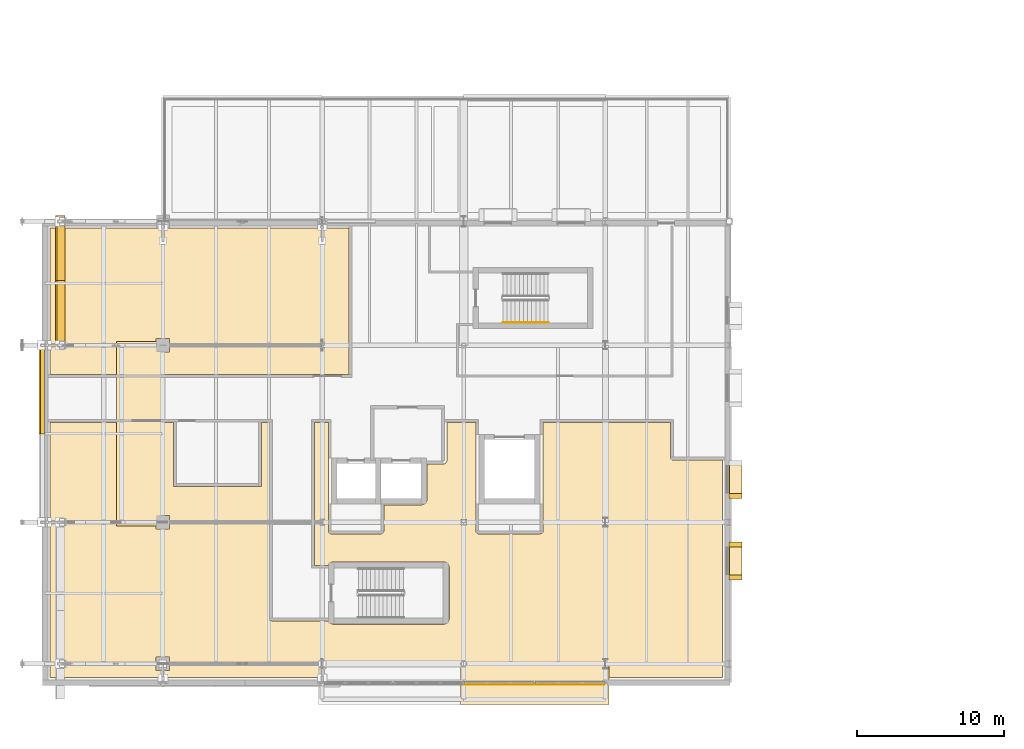
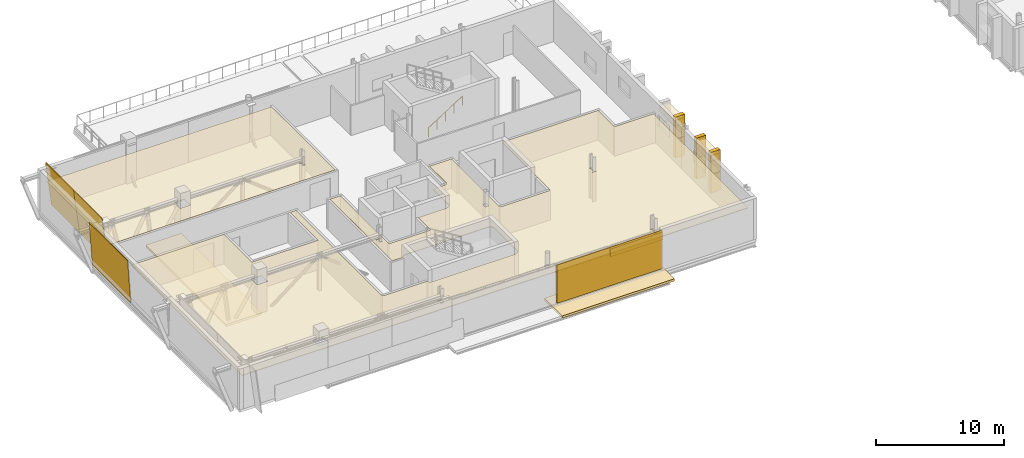
# One storey, part 49 of 57: 16 coverings, 1 railing, 1 shading device.
"""IFC4 building model written with IfcOpenShell, lengths in metres."""

import ifcopenshell
import ifcopenshell.guid

model = None  # the IFC model being written
_history = None  # IfcOwnerHistory: only IFC2X3 demands one
_inside = {}  # id of a spatial element -> (the spatial element, [elements in it])
_under = {}  # id of a project, library or spatial element -> (it, [spatial elements below it])
_declared = {}  # id of a project -> (the project, [libraries it declares])
_typed = {}  # id of a type object -> (the type object, [elements of that type])
_made_of = {}  # id of a material, layer set ... -> (it, [elements and type objects made of it])


def new_model(schema):
    """Start an empty IFC model of exactly this schema.

    Asked for "IFC4X3", IfcOpenShell would pick the latest addendum, in which some entities
    have other attributes; the version numbers below select the first issue.
    IFC2X3 requires an IfcOwnerHistory on every rooted entity: one is made here for all.
    """
    global model, _history
    if schema == "IFC4X3":
        model = ifcopenshell.file(schema_version=(4, 3, 0, 0))
    else:
        model = ifcopenshell.file(schema=schema)
    _inside.clear()
    _under.clear()
    _declared.clear()
    _typed.clear()
    _made_of.clear()
    _history = None
    if model.schema == "IFC2X3":
        org = make("IfcOrganization", Name="unknown")
        user = make(
            "IfcPersonAndOrganization",
            ThePerson=make("IfcPerson", FamilyName="unknown"),
            TheOrganization=org,
        )
        app = make(
            "IfcApplication",
            ApplicationDeveloper=org,
            Version="unknown",
            ApplicationFullName="unknown",
            ApplicationIdentifier="unknown",
        )
        _history = make(
            "IfcOwnerHistory",
            OwningUser=user,
            OwningApplication=app,
            ChangeAction="ADDED",
            CreationDate=0,
        )
    return model


def make(cls, **values):
    """One entity of the class cls with the attributes given. An attribute that is None is left unset."""
    return model.create_entity(
        cls, **{name: value for name, value in values.items() if value is not None}
    )


def rooted(cls, **values):
    """An entity with a GlobalId (a new one), such as an element, a storey or a relation."""
    return make(cls, GlobalId=ifcopenshell.guid.new(), OwnerHistory=_history, **values)


def si_unit(unit_type, name, prefix=None):
    """IfcSIUnit, for example si_unit("LENGTHUNIT", "METRE", prefix="MILLI")."""
    return make("IfcSIUnit", UnitType=unit_type, Prefix=prefix, Name=name)


def assignment(units):
    """IfcUnitAssignment: the units of a project."""
    return None if units is None else make("IfcUnitAssignment", Units=units)


def point(xyz):
    """IfcCartesianPoint."""
    return None if xyz is None else make("IfcCartesianPoint", Coordinates=xyz)


def direction(xyz):
    """IfcDirection."""
    return None if xyz is None else make("IfcDirection", DirectionRatios=xyz)


def frame(location, z_axis=None, x_axis=None):
    """IfcAxis2Placement3D, a coordinate frame: its origin and axes. An axis left out is left unset."""
    return make(
        "IfcAxis2Placement3D",
        Location=point(location),
        Axis=direction(z_axis),
        RefDirection=direction(x_axis),
    )


def frame_2d(location, x_axis=None):
    """IfcAxis2Placement2D, a coordinate frame in the plane: its origin and x axis."""
    return make(
        "IfcAxis2Placement2D", Location=point(location), RefDirection=direction(x_axis)
    )


def origin():
    """The frame at (0, 0, 0) with its axes left unset."""
    return frame((0.0, 0.0, 0.0))


def origin_2d():
    """The frame at (0, 0) in the plane with its x axis left unset."""
    return frame_2d((0.0, 0.0))


def place(relative_to, where):
    """IfcLocalPlacement: puts the frame where relative to a parent placement (None: the world)."""
    return make(
        "IfcLocalPlacement", PlacementRelTo=relative_to, RelativePlacement=where
    )


def context(
    kind, dimensions, precision=None, world=None, true_north=None, identifier=None
):
    """IfcGeometricRepresentationContext, for example the 3D "Model" context."""
    return make(
        "IfcGeometricRepresentationContext",
        ContextIdentifier=identifier,
        ContextType=kind,
        CoordinateSpaceDimension=dimensions,
        Precision=precision,
        WorldCoordinateSystem=world,
        TrueNorth=true_north,
    )


def subcontext(parent, identifier, kind, view, scale=None):
    """IfcGeometricRepresentationSubContext, for example "Body" below "Model"."""
    return make(
        "IfcGeometricRepresentationSubContext",
        ContextIdentifier=identifier,
        ContextType=kind,
        ParentContext=parent,
        TargetScale=scale,
        TargetView=view,
    )


def project(units=None, contexts=None):
    """IfcProject with its units and contexts."""
    return rooted(
        "IfcProject",
        Name="project",
        RepresentationContexts=contexts,
        UnitsInContext=assignment(units),
    )


def spatial(cls, under=None, at=None, **own):
    """A site, building, storey or space (cls), placed at a placement, below another one or the project."""
    s = rooted(cls, ObjectPlacement=at, **own)
    if under is not None:
        _under.setdefault(under.id(), (under, []))[1].append(s)
    return s


def polyline(points):
    """IfcPolyline through the points."""
    return make("IfcPolyline", Points=[point(p) for p in points])


def profile(cls, at=None, kind="AREA", **sizes):
    """A parametric profile (cls). Its sizes go by their IFC names, for example OverallWidth=200.0."""
    return make(cls, ProfileType=kind, Position=at, **sizes)


def rectangle(**sizes):
    """IfcRectangleProfileDef."""
    return profile("IfcRectangleProfileDef", **sizes)


def circle(**sizes):
    """IfcCircleProfileDef."""
    return profile("IfcCircleProfileDef", **sizes)


def outline(outer, holes=None, kind="AREA"):
    """IfcArbitraryClosedProfileDef: a profile drawn as a closed curve; with holes, ...WithVoids."""
    if holes is None:
        return make("IfcArbitraryClosedProfileDef", ProfileType=kind, OuterCurve=outer)
    return make(
        "IfcArbitraryProfileDefWithVoids",
        ProfileType=kind,
        OuterCurve=outer,
        InnerCurves=holes,
    )


def extrude(swept, where, along, depth):
    """IfcExtrudedAreaSolid: the profile swept, set in the frame where, extruded along a direction by depth."""
    return make(
        "IfcExtrudedAreaSolid",
        SweptArea=swept,
        Position=where,
        ExtrudedDirection=direction(along),
        Depth=depth,
    )


def shape(context_of_items, identifier, shape_type, items):
    """IfcShapeRepresentation: the items that make up one representation, for example the "Body"."""
    return make(
        "IfcShapeRepresentation",
        ContextOfItems=context_of_items,
        RepresentationIdentifier=identifier,
        RepresentationType=shape_type,
        Items=items,
    )


def material(Name=None, Category=None):
    """IfcMaterial."""
    return make("IfcMaterial", Name=Name, Category=Category)


def layer(
    of_material, thickness, ventilated=None, Name=None, Category=None, Priority=None
):
    """IfcMaterialLayer: one layer of a wall or slab, of a material (None: an air gap)."""
    return make(
        "IfcMaterialLayer",
        Material=of_material,
        LayerThickness=thickness,
        IsVentilated=ventilated,
        Name=Name,
        Category=Category,
        Priority=Priority,
    )


def layer_set(layers, Name=None):
    """IfcMaterialLayerSet."""
    return make("IfcMaterialLayerSet", MaterialLayers=layers, LayerSetName=Name)


def made_of(thing, what):
    """Note that an element or type object is made of a material, layer set ...; save() writes the relation."""
    if what is not None:
        _made_of.setdefault(what.id(), (what, []))[1].append(thing)
    return thing


def type_object(cls, material=None, **own):
    """A type object (cls), such as IfcWallType, which elements share."""
    return made_of(rooted(cls, **own), material)


def element(
    cls,
    number,
    at=None,
    inside=None,
    cuts=None,
    type_object=None,
    material=None,
    context=None,
    identifier="Body",
    shape_type=None,
    held_by="IfcProductDefinitionShape",
    body=None,
    shapes=None,
    **own,
):
    """One element of the class cls, such as IfcWall. Its Tag is "e" and its number.

    at: its placement. inside: the storey or other place that contains it. cuts: it is an
    opening in that element (IfcRelVoidsElement). A single representation is given by context,
    identifier, shape_type and body (its items); several are given by shapes. held_by: the class
    of the entity that holds the representations. save() writes the other relations.
    """
    e = rooted(cls, Tag="e%d" % number, ObjectPlacement=at, **own)
    if body is not None:
        shapes = [shape(context, identifier, shape_type, body)]
    if shapes is not None:
        e.Representation = make(held_by, Representations=shapes)
    if inside is not None:
        _inside.setdefault(inside.id(), (inside, []))[1].append(e)
    if cuts is not None:
        rooted(
            "IfcRelVoidsElement", RelatingBuildingElement=cuts, RelatedOpeningElement=e
        )
    if type_object is not None:
        _typed.setdefault(type_object.id(), (type_object, []))[1].append(e)
    return made_of(e, material)


def aggregate(whole, parts):
    """IfcRelAggregates: a whole, such as a stair, and the parts it consists of."""
    return rooted("IfcRelAggregates", RelatingObject=whole, RelatedObjects=parts)


def save(model, path):
    """Write the relations noted so far, then the file.

    IfcRelAggregates (storeys below a building ...), IfcRelContainedInSpatialStructure (elements
    in a storey), IfcRelDefinesByType, IfcRelAssociatesMaterial and IfcRelDeclares: one each for
    every whole, place, type object, material and project.
    """
    for whole, parts in _under.values():
        aggregate(whole, parts)
    for where, things in _inside.values():
        rooted(
            "IfcRelContainedInSpatialStructure",
            RelatedElements=things,
            RelatingStructure=where,
        )
    for kind, things in _typed.values():
        rooted("IfcRelDefinesByType", RelatedObjects=things, RelatingType=kind)
    for what, things in _made_of.values():
        rooted("IfcRelAssociatesMaterial", RelatedObjects=things, RelatingMaterial=what)
    for by, libraries in _declared.values():
        rooted("IfcRelDeclares", RelatingContext=by, RelatedDefinitions=libraries)
    model.write(path)


model = new_model("IFC4")

# Units and contexts
model_context = context("Model", 3, precision=1e-05, world=origin(), true_north=direction((0.0, 1.0)))
body_context = subcontext(model_context, "Body", "Model", "MODEL_VIEW")
ifc_project = project(units=[si_unit("LENGTHUNIT", "METRE"), si_unit("AREAUNIT", "SQUARE_METRE"), si_unit("VOLUMEUNIT", "CUBIC_METRE"), si_unit("PLANEANGLEUNIT", "RADIAN"), si_unit("MASSUNIT", "GRAM", prefix="KILO")], contexts=[model_context])

# Site, building, storey
site_placement = place(None, origin())
site = spatial("IfcSite", under=ifc_project, at=site_placement, CompositionType="ELEMENT")
building_placement = place(site_placement, origin())
building = spatial("IfcBuilding", under=site, at=building_placement, Name="Zereglee Splitstone Museum", CompositionType="ELEMENT")
storey_placement = place(building_placement, frame((0.0, 0.0, 17.10009765625)))
storey = spatial("IfcBuildingStorey", under=building, at=storey_placement, Name="L03", CompositionType="ELEMENT", Elevation=17.10009765625)

# Coverings
ifc_material_1 = material(Name="Siberian larch acoustic timber ceiling", Category="wood")
ifc_layer_1 = layer(ifc_material_1, 0.06005859375)
ifc_layer_set_1 = layer_set([ifc_layer_1], Name="Siberian larch acoustic timber ceiling")
covering_type_1 = type_object("IfcCoveringType", Name="CLG-01", PredefinedType="CEILING", material=ifc_layer_set_1)
covering_1_placement = place(storey_placement, frame((0.0, 0.0, 2.760009765625)))
element("IfcCovering", 1, at=covering_1_placement, inside=storey, type_object=covering_type_1, Name="Acoustic Ceiling L03-045", PredefinedType="CEILING", context=body_context, shape_type="SweptSolid", body=[
    extrude(outline(polyline([(19.8798828125, 16.3701171875), (20.820068359375, 16.3701171875), (20.820068359375, 9.0), (20.820068359375, 8.9990234375), (20.82080078125, 8.9833984375), (20.821044921875, 8.9814453125), (20.8232421875, 8.9658203125), (20.82373046875, 8.9638671875), (20.827392578125, 8.94873046875), (20.828125, 8.94677734375), (20.833251953125, 8.931884765625), (20.833984375, 8.93017578125), (20.8408203125, 8.916015625), (20.841796875, 8.914306640625), (20.849853515625, 8.90087890625), (20.850830078125, 8.899169921875), (20.8603515625, 8.88671875), (20.861572265625, 8.885009765625), (20.8720703125, 8.873291015625), (20.873291015625, 8.8720703125), (20.885009765625, 8.861572265625), (20.88671875, 8.8603515625), (20.899169921875, 8.850830078125), (20.90087890625, 8.849853515625), (20.914306640625, 8.841796875), (20.916015625, 8.8408203125), (20.93017578125, 8.833984375), (20.931884765625, 8.833251953125), (20.94677734375, 8.828125), (20.94873046875, 8.827392578125), (20.9638671875, 8.82373046875), (20.9658203125, 8.8232421875), (20.9814453125, 8.821044921875), (20.9833984375, 8.82080078125), (20.9990234375, 8.820068359375), (21.0, 8.820068359375), (24.39990234375, 8.820068359375), (24.40087890625, 8.820068359375), (24.416748046875, 8.82080078125), (24.418701171875, 8.821044921875), (24.43408203125, 8.8232421875), (24.43603515625, 8.82373046875), (24.451416015625, 8.827392578125), (24.453125, 8.828125), (24.468017578125, 8.833251953125), (24.4697265625, 8.833984375), (24.48388671875, 8.8408203125), (24.485595703125, 8.841796875), (24.499267578125, 8.849853515625), (24.500732421875, 8.850830078125), (24.513427734375, 8.8603515625), (24.514892578125, 8.861572265625), (24.526611328125, 8.8720703125), (24.528076171875, 8.873291015625), (24.53857421875, 8.885009765625), (24.539794921875, 8.88671875), (24.549072265625, 8.899169921875), (24.55029296875, 8.90087890625), (24.558349609375, 8.914306640625), (24.55908203125, 8.916015625), (24.56591796875, 8.93017578125), (24.566650390625, 8.931884765625), (24.572021484375, 8.94677734375), (24.572509765625, 8.94873046875), (24.576416015625, 8.9638671875), (24.57666015625, 8.9658203125), (24.5791015625, 8.9814453125), (24.5791015625, 8.9833984375), (24.580078125, 8.9990234375), (24.580078125, 9.0), (24.580078125, 10.780029296875), (27.10009765625, 10.780029296875), (27.14111328125, 10.781982421875), (27.181884765625, 10.7880859375), (27.221923828125, 10.798095703125), (27.2607421875, 10.81201171875), (27.298095703125, 10.82958984375), (27.333251953125, 10.850830078125), (27.366455078125, 10.875244140625), (27.39697265625, 10.903076171875), (27.4248046875, 10.93359375), (27.44921875, 10.966796875), (27.470458984375, 11.001953125), (27.488037109375, 11.039306640625), (27.501953125, 11.078125), (27.511962890625, 11.1181640625), (27.51806640625, 11.15869140625), (27.52001953125, 11.199951171875), (27.52001953125, 13.550048828125), (28.60009765625, 13.550048828125), (28.62451171875, 13.55126953125), (28.648681640625, 13.5546875), (28.672607421875, 13.560791015625), (28.69580078125, 13.569091796875), (28.7177734375, 13.57958984375), (28.739013671875, 13.592041015625), (28.758544921875, 13.606689453125), (28.77685546875, 13.623291015625), (28.793212890625, 13.641357421875), (28.807861328125, 13.6611328125), (28.820556640625, 13.68212890625), (28.8310546875, 13.704345703125), (28.839111328125, 13.727294921875), (28.84521484375, 13.751220703125), (28.848876953125, 13.775390625), (28.85009765625, 13.800048828125), (28.85009765625, 16.3701171875), (30.820068359375, 16.3701171875), (30.820068359375, 9.0), (30.820068359375, 8.9990234375), (30.82080078125, 8.9833984375), (30.821044921875, 8.9814453125), (30.8232421875, 8.9658203125), (30.82373046875, 8.9638671875), (30.827392578125, 8.94873046875), (30.828125, 8.94677734375), (30.833251953125, 8.931884765625), (30.833984375, 8.93017578125), (30.8408203125, 8.916015625), (30.841796875, 8.914306640625), (30.849853515625, 8.90087890625), (30.850830078125, 8.899169921875), (30.8603515625, 8.88671875), (30.861572265625, 8.885009765625), (30.8720703125, 8.873291015625), (30.873291015625, 8.8720703125), (30.885009765625, 8.861572265625), (30.88671875, 8.8603515625), (30.899169921875, 8.850830078125), (30.90087890625, 8.849853515625), (30.914306640625, 8.841796875), (30.916015625, 8.8408203125), (30.93017578125, 8.833984375), (30.931884765625, 8.833251953125), (30.94677734375, 8.828125), (30.94873046875, 8.827392578125), (30.9638671875, 8.82373046875), (30.9658203125, 8.8232421875), (30.9814453125, 8.821044921875), (30.9833984375, 8.82080078125), (30.9990234375, 8.820068359375), (31.0, 8.820068359375), (35.199951171875, 8.820068359375), (35.200927734375, 8.820068359375), (35.216796875, 8.82080078125), (35.218505859375, 8.821044921875), (35.234130859375, 8.8232421875), (35.236083984375, 8.82373046875), (35.251220703125, 8.827392578125), (35.253173828125, 8.828125), (35.26806640625, 8.833251953125), (35.269775390625, 8.833984375), (35.283935546875, 8.8408203125), (35.28564453125, 8.841796875), (35.29931640625, 8.849853515625), (35.30078125, 8.850830078125), (35.3134765625, 8.8603515625), (35.31494140625, 8.861572265625), (35.32666015625, 8.8720703125), (35.327880859375, 8.873291015625), (35.33837890625, 8.885009765625), (35.339599609375, 8.88671875), (35.34912109375, 8.899169921875), (35.35009765625, 8.90087890625), (35.3583984375, 8.914306640625), (35.359130859375, 8.916015625), (35.365966796875, 8.93017578125), (35.36669921875, 8.931884765625), (35.371826171875, 8.94677734375), (35.37255859375, 8.94873046875), (35.376220703125, 8.9638671875), (35.376708984375, 8.9658203125), (35.37890625, 8.9814453125), (35.379150390625, 8.9833984375), (35.3798828125, 8.9990234375), (35.3798828125, 9.0), (35.3798828125, 16.3701171875), (44.02001953125, 16.3701171875), (44.02001953125, 14.0), (44.02001953125, 13.9990234375), (44.020751953125, 13.9833984375), (44.02099609375, 13.9814453125), (44.023193359375, 13.9658203125), (44.023681640625, 13.9638671875), (44.027587890625, 13.94873046875), (44.028076171875, 13.94677734375), (44.033203125, 13.931884765625), (44.0341796875, 13.93017578125), (44.040771484375, 13.916015625), (44.041748046875, 13.914306640625), (44.0498046875, 13.90087890625), (44.05078125, 13.899169921875), (44.060302734375, 13.88671875), (44.0615234375, 13.885009765625), (44.072021484375, 13.873291015625), (44.073486328125, 13.8720703125), (44.085205078125, 13.861572265625), (44.086669921875, 13.8603515625), (44.09912109375, 13.850830078125), (44.100830078125, 13.849853515625), (44.1142578125, 13.841796875), (44.115966796875, 13.8408203125), (44.130126953125, 13.833984375), (44.132080078125, 13.833251953125), (44.146728515625, 13.828125), (44.148681640625, 13.827392578125), (44.163818359375, 13.82373046875), (44.166015625, 13.8232421875), (44.181396484375, 13.821044921875), (44.183349609375, 13.82080078125), (44.198974609375, 13.820068359375), (44.199951171875, 13.820068359375), (47.5400390625, 13.820068359375), (47.5400390625, -0.93994140625), (1.9599609375, -0.93994140625), (1.9599609375, 16.3701171875), (10.320068359375, 16.3701171875), (10.320068359375, 12.030029296875), (10.320068359375, 12.028076171875), (10.3203125, 12.026123046875), (10.32080078125, 12.024169921875), (10.321533203125, 12.022216796875), (10.322509765625, 12.0205078125), (10.323486328125, 12.018798828125), (10.324462890625, 12.017333984375), (10.325927734375, 12.015869140625), (10.327392578125, 12.014404296875), (10.328857421875, 12.013427734375), (10.33056640625, 12.012451171875), (10.332275390625, 12.011474609375), (10.334228515625, 12.010986328125), (10.336181640625, 12.010498046875), (10.337890625, 12.010009765625), (10.340087890625, 12.010009765625), (16.260009765625, 12.010009765625), (16.261962890625, 12.010009765625), (16.263916015625, 12.010498046875), (16.265869140625, 12.010986328125), (16.267578125, 12.011474609375), (16.269287109375, 12.012451171875), (16.27099609375, 12.013427734375), (16.272705078125, 12.014404296875), (16.274169921875, 12.015869140625), (16.275390625, 12.017333984375), (16.276611328125, 12.018798828125), (16.277587890625, 12.0205078125), (16.278564453125, 12.022216796875), (16.279052734375, 12.024169921875), (16.279541015625, 12.026123046875), (16.27978515625, 12.028076171875), (16.280029296875, 12.030029296875), (16.280029296875, 16.3701171875), (16.820068359375, 16.3701171875), (16.820068359375, 3.10009765625), (16.820068359375, 3.09912109375), (16.82080078125, 3.083251953125), (16.821044921875, 3.081298828125), (16.8232421875, 3.06591796875), (16.82373046875, 3.06396484375), (16.827392578125, 3.048583984375), (16.828125, 3.046875), (16.833251953125, 3.031982421875), (16.833984375, 3.0302734375), (16.8408203125, 3.01611328125), (16.841796875, 3.014404296875), (16.849853515625, 3.000732421875), (16.850830078125, 2.999267578125), (16.8603515625, 2.986572265625), (16.861572265625, 2.985107421875), (16.8720703125, 2.973388671875), (16.873291015625, 2.971923828125), (16.885009765625, 2.96142578125), (16.88671875, 2.960205078125), (16.899169921875, 2.950927734375), (16.90087890625, 2.94970703125), (16.914306640625, 2.941650390625), (16.916015625, 2.94091796875), (16.93017578125, 2.93408203125), (16.931884765625, 2.933349609375), (16.94677734375, 2.927978515625), (16.94873046875, 2.927490234375), (16.9638671875, 2.923583984375), (16.9658203125, 2.92333984375), (16.9814453125, 2.9208984375), (16.9833984375, 2.9208984375), (16.9990234375, 2.919921875), (17.0, 2.919921875), (20.821044921875, 2.919921875), (20.82958984375, 2.902099609375), (20.850830078125, 2.86669921875), (20.875244140625, 2.83349609375), (20.903076171875, 2.802978515625), (20.93359375, 2.775390625), (20.966796875, 2.750732421875), (21.001953125, 2.7294921875), (21.039306640625, 2.7119140625), (21.078125, 2.697998046875), (21.1181640625, 2.68798828125), (21.15869140625, 2.681884765625), (21.199951171875, 2.679931640625), (28.60009765625, 2.679931640625), (28.64111328125, 2.681884765625), (28.681884765625, 2.68798828125), (28.721923828125, 2.697998046875), (28.7607421875, 2.7119140625), (28.798095703125, 2.7294921875), (28.833251953125, 2.750732421875), (28.866455078125, 2.775390625), (28.89697265625, 2.802978515625), (28.9248046875, 2.83349609375), (28.94921875, 2.86669921875), (28.970458984375, 2.902099609375), (28.988037109375, 2.939208984375), (29.001953125, 2.97802734375), (29.011962890625, 3.01806640625), (29.01806640625, 3.058837890625), (29.02001953125, 3.10009765625), (29.02001953125, 6.5), (29.01806640625, 6.541259765625), (29.011962890625, 6.581787109375), (29.001953125, 6.621826171875), (28.988037109375, 6.66064453125), (28.970458984375, 6.697998046875), (28.94921875, 6.7333984375), (28.9248046875, 6.766357421875), (28.89697265625, 6.797119140625), (28.866455078125, 6.82470703125), (28.833251953125, 6.84912109375), (28.798095703125, 6.870361328125), (28.7607421875, 6.887939453125), (28.721923828125, 6.90185546875), (28.681884765625, 6.911865234375), (28.64111328125, 6.91796875), (28.60009765625, 6.919921875), (21.199951171875, 6.919921875), (21.15869140625, 6.91796875), (21.1181640625, 6.911865234375), (21.078125, 6.90185546875), (21.039306640625, 6.887939453125), (21.001953125, 6.870361328125), (20.966796875, 6.84912109375), (20.93359375, 6.82470703125), (20.903076171875, 6.797119140625), (20.875244140625, 6.766357421875), (20.850830078125, 6.7333984375), (20.82958984375, 6.697998046875), (20.821044921875, 6.679931640625), (19.8798828125, 6.679931640625), (19.8798828125, 16.3701171875)]), holes=[polyline([(9.14208984375, -0.4580078125), (10.05810546875, -0.4580078125), (10.05810546875, 0.4580078125), (9.14208984375, 0.4580078125), (9.14208984375, -0.4580078125)]), polyline([(20.241943359375, 0.23291015625), (20.241943359375, 0.19091796875), (20.385009765625, 0.19091796875), (20.385009765625, -0.19091796875), (20.241943359375, -0.19091796875), (20.241943359375, -0.23291015625), (20.55810546875, -0.23291015625), (20.55810546875, -0.19091796875), (20.4150390625, -0.19091796875), (20.4150390625, 0.19091796875), (20.55810546875, 0.19091796875), (20.55810546875, 0.23291015625), (20.241943359375, 0.23291015625)]), polyline([(30.080810546875, -0.195068359375), (30.1171875, -0.175537109375), (30.1494140625, -0.1494140625), (30.175537109375, -0.1171875), (30.195068359375, -0.080810546875), (30.20703125, -0.041259765625), (30.211181640625, 0.0), (30.20703125, 0.041259765625), (30.195068359375, 0.080810546875), (30.175537109375, 0.1171875), (30.1494140625, 0.1494140625), (30.1171875, 0.175537109375), (30.080810546875, 0.195068359375), (30.041259765625, 0.20703125), (30.0, 0.211181640625), (29.958740234375, 0.20703125), (29.919189453125, 0.195068359375), (29.8828125, 0.175537109375), (29.8505859375, 0.1494140625), (29.824462890625, 0.1171875), (29.804931640625, 0.080810546875), (29.79296875, 0.041259765625), (29.788818359375, 0.0), (29.79296875, -0.041259765625), (29.804931640625, -0.080810546875), (29.824462890625, -0.1171875), (29.8505859375, -0.1494140625), (29.8828125, -0.175537109375), (29.919189453125, -0.195068359375), (29.958740234375, -0.20703125), (30.0, -0.211181640625), (30.041259765625, -0.20703125), (30.080810546875, -0.195068359375)]), polyline([(39.758056640625, 0.3330078125), (39.44189453125, 0.3330078125), (39.44189453125, 0.285888671875), (39.583984375, 0.285888671875), (39.583984375, -0.285888671875), (39.44189453125, -0.285888671875), (39.44189453125, -0.3330078125), (39.758056640625, -0.3330078125), (39.758056640625, -0.285888671875), (39.615966796875, -0.285888671875), (39.615966796875, 0.285888671875), (39.758056640625, 0.285888671875), (39.758056640625, 0.3330078125)]), polyline([(20.55810546875, 9.80810546875), (20.241943359375, 9.80810546875), (20.241943359375, 9.76806640625), (20.38525390625, 9.76806640625), (20.38525390625, 9.431884765625), (20.241943359375, 9.431884765625), (20.241943359375, 9.39208984375), (20.55810546875, 9.39208984375), (20.55810546875, 9.431884765625), (20.414794921875, 9.431884765625), (20.414794921875, 9.76806640625), (20.55810546875, 9.76806640625), (20.55810546875, 9.80810546875)]), polyline([(29.81689453125, 9.782958984375), (29.81689453125, 9.4169921875), (30.18310546875, 9.4169921875), (30.18310546875, 9.782958984375), (29.81689453125, 9.782958984375)]), polyline([(39.758056640625, 9.907958984375), (39.44189453125, 9.907958984375), (39.44189453125, 9.862060546875), (39.584228515625, 9.862060546875), (39.584228515625, 9.337890625), (39.44189453125, 9.337890625), (39.44189453125, 9.2919921875), (39.758056640625, 9.2919921875), (39.758056640625, 9.337890625), (39.61572265625, 9.337890625), (39.61572265625, 9.862060546875), (39.758056640625, 9.862060546875), (39.758056640625, 9.907958984375)]), polyline([(9.14208984375, 9.14208984375), (10.05810546875, 9.14208984375), (10.05810546875, 10.05810546875), (9.14208984375, 10.05810546875), (9.14208984375, 9.14208984375)])]), origin(), (0.0, 0.0, 1.0), 0.059814453125),
])
covering_2_placement = place(storey_placement, frame((0.0, 0.0, 2.760009765625)))
element("IfcCovering", 2, at=covering_2_placement, inside=storey, type_object=covering_type_1, Name="Acoustic Ceiling L03-046", PredefinedType="CEILING", context=body_context, shape_type="SweptSolid", body=[
    extrude(outline(polyline([(22.219970703125, 19.6298828125), (1.9599609375, 19.6298828125), (1.9599609375, 29.5400390625), (22.219970703125, 29.5400390625), (22.219970703125, 19.6298828125)]), holes=[polyline([(9.14208984375, 21.14208984375), (10.05810546875, 21.14208984375), (10.05810546875, 22.05810546875), (9.14208984375, 22.05810546875), (9.14208984375, 21.14208984375)]), polyline([(20.55810546875, 21.7880859375), (20.241943359375, 21.7880859375), (20.241943359375, 21.74951171875), (20.3857421875, 21.74951171875), (20.3857421875, 21.450439453125), (20.241943359375, 21.450439453125), (20.241943359375, 21.412109375), (20.55810546875, 21.412109375), (20.55810546875, 21.450439453125), (20.414306640625, 21.450439453125), (20.414306640625, 21.74951171875), (20.55810546875, 21.74951171875), (20.55810546875, 21.7880859375)])]), origin(), (0.0, 0.0, 1.0), 0.059814453125),
])
ifc_material_2 = material(Name="Honed Gobi pale limestone stringcourse and soffit cladding", Category="masonry")
ifc_layer_2 = layer(ifc_material_2, 0.070068359375)
ifc_layer_set_2 = layer_set([ifc_layer_2], Name="Honed Gobi pale limestone stringcourse and soffit cladding")
covering_type_2 = type_object("IfcCoveringType", Name="CL-02", PredefinedType="CLADDING", material=ifc_layer_set_2)
for number, where, z_axis, x_axis, name in (
    (3, (32.3798828125, -1.280029296875, 2.864990234375), (0.0, 0.0, 1.0), (1.0, 0.0, 0.0), "Mughal Carved Clerestory Jaali Frieze RC4-CW-L03-115-1"),
    (4, (37.219970703125, -1.280029296875, 2.844970703125), (0.0, 0.0, 1.0), (1.0, 0.0, 0.0), "Mughal Carved Clerestory Jaali Frieze RC4-CW-L03-115-2"),
):
    element("IfcCovering", number, at=place(storey_placement, frame(where, z_axis=z_axis, x_axis=x_axis)), inside=storey, type_object=covering_type_2, Name=name, PredefinedType="CLADDING", context=body_context, shape_type="SweptSolid", body=[
        extrude(rectangle(XDim=4.679931640625, YDim=0.239990234375, at=origin_2d()), origin(), (0.0, 0.0, 1.0), 0.75),
    ])
for number, where, z_axis, x_axis, name in (
    (5, (48.425048828125, 5.85009765625, 0.0), (0.0, 0.0, 1.0), (0.0, 1.0, 0.0), "Mughal Window Reveal Stone Pilaster L03-0119L"),
    (6, (48.425048828125, 8.090087890625, 0.0), (0.0, 0.0, 1.0), (0.0, 1.0, 0.0), "Mughal Window Reveal Stone Pilaster L03-0119R"),
):
    element("IfcCovering", number, at=place(storey_placement, frame(where, z_axis=z_axis, x_axis=x_axis)), inside=storey, type_object=covering_type_2, Name=name, PredefinedType="CLADDING", context=body_context, shape_type="SweptSolid", body=[
        extrude(rectangle(XDim=0.340087890625, YDim=0.860107421875, at=origin_2d()), origin(), (0.0, 0.0, 1.0), 3.89990234375),
    ])
covering_3_placement = place(storey_placement, frame((48.43505859375, 6.969970703125, 1.659912109375), z_axis=(0.0, 0.0, 1.0), x_axis=(0.0, 1.0, 0.0)))
element("IfcCovering", 7, at=covering_3_placement, inside=storey, type_object=covering_type_2, Name="Carved Limestone Window Sill L03-0119", PredefinedType="CLADDING", context=body_context, shape_type="SweptSolid", body=[
    extrude(rectangle(XDim=2.43994140625, YDim=0.840087890625, at=origin_2d()), origin(), (0.0, 0.0, 1.0), 0.1201171875),
])
covering_4_placement = place(storey_placement, frame((48.425048828125, 11.389892578125, 0.0), z_axis=(0.0, 0.0, 1.0), x_axis=(0.0, 1.0, 0.0)))
element("IfcCovering", 8, at=covering_4_placement, inside=storey, type_object=covering_type_2, Name="Mughal Window Reveal Stone Pilaster L03-0120L", PredefinedType="CLADDING", context=body_context, shape_type="SweptSolid", body=[
    extrude(rectangle(XDim=0.340087890625, YDim=0.860107421875, at=origin_2d()), origin(), (0.0, 0.0, 1.0), 3.89990234375),
])
covering_5_placement = place(storey_placement, frame((48.43505859375, 12.510009765625, 1.659912109375), z_axis=(0.0, 0.0, 1.0), x_axis=(0.0, 1.0, 0.0)))
element("IfcCovering", 9, at=covering_5_placement, inside=storey, type_object=covering_type_2, Name="Carved Limestone Window Sill L03-0120", PredefinedType="CLADDING", context=body_context, shape_type="SweptSolid", body=[
    extrude(rectangle(XDim=2.43994140625, YDim=0.840087890625, at=origin_2d()), origin(), (0.0, 0.0, 1.0), 0.1201171875),
])
ifc_material_3 = material(Name="Honed Khoroo red sandstone ventilated rainscreen", Category="masonry")
ifc_layer_3 = layer(ifc_material_3, 0.080078125)
ifc_layer_set_3 = layer_set([ifc_layer_3], Name="Honed Khoroo red sandstone ventilated rainscreen")
covering_type_3 = type_object("IfcCoveringType", Name="CL-01", PredefinedType="CLADDING", material=ifc_layer_set_3)
for number, where, z_axis, x_axis, name in (
    (10, (48.43505859375, 6.969970703125, 2.9599609375), (0.0, 0.0, 1.0), (0.0, 1.0, 0.0), "Pointed-Arch Mughal Window Hood L03-0119"),
    (11, (48.43505859375, 12.510009765625, 2.9599609375), (0.0, 0.0, 1.0), (0.0, 1.0, 0.0), "Pointed-Arch Mughal Window Hood L03-0120"),
):
    element("IfcCovering", number, at=place(storey_placement, frame(where, z_axis=z_axis, x_axis=x_axis)), inside=storey, type_object=covering_type_3, Name=name, PredefinedType="CLADDING", context=body_context, shape_type="SweptSolid", body=[
        extrude(rectangle(XDim=2.43994140625, YDim=0.860107421875, at=origin_2d()), origin(), (0.0, 0.0, 1.0), 0.580078125),
    ])
for number, where, z_axis, x_axis, name in (
    (12, (2.33203125, 21.60009765625, 3.949951171875), (-0.991724676305, 0.0, -0.128382889852), (0.0, 1.0, 0.0), "Split-Rock Continuous Inclined Facet FH-V1W-N L03.1"),
    (13, (2.33203125, 26.0, 3.949951171875), (-0.991724676305, 0.0, -0.128382889852), (0.0, 1.0, 0.0), "Split-Rock Continuous Inclined Facet FH-V1W-N L03.2"),
):
    element("IfcCovering", number, at=place(storey_placement, frame(where, z_axis=z_axis, x_axis=x_axis)), inside=storey, type_object=covering_type_3, Name=name, PredefinedType="CLADDING", context=body_context, shape_type="SweptSolid", body=[
        extrude(outline(polyline([(0.0, 0.0), (4.39990234375, 0.0), (4.39990234375, 4.234997144087872), (0.0, 4.234997144087872), (0.0, 0.0)])), origin(), (0.0, 0.0, -1.0), 0.080078125),
    ])
covering_6_placement = place(storey_placement, frame((1.202392578125, 15.60009765625, 3.949951171875), z_axis=(-0.997704863056, 0.0, -0.067712674106), x_axis=(0.0, 1.0, 0.0)))
element("IfcCovering", 14, at=covering_6_placement, inside=storey, type_object=covering_type_3, Name="Split-Rock Continuous Inclined Facet FH-V1W-M L03.2", PredefinedType="CLADDING", context=body_context, shape_type="SweptSolid", body=[
    extrude(outline(polyline([(0.0, 0.0), (6.0, 0.0), (6.0, 4.099496797176319), (0.0, 4.099496797176319), (0.0, 0.0)])), origin(), (0.0, 0.0, -1.0), 0.080078125),
])

# Railing
ifc_material_4 = material(Name="Architectural bronze tubular handrail", Category="steel")
railing_type = type_object("IfcRailingType", Name="HR-01", PredefinedType="HANDRAIL", material=ifc_material_4)
railing_placement = place(storey_placement, frame((32.64990234375, 23.14990234375, 0.1748046875)))
element("IfcRailing", 15, at=railing_placement, inside=storey, type_object=railing_type, Name="L03 ST-02 stair handrail 1", PredefinedType="HANDRAIL", context=body_context, shape_type="SweptSolid", body=[
    extrude(circle(Radius=0.02392578125, at=origin_2d()), frame((0.0, 0.0, 0.8759765625), z_axis=(0.847998304005, 0.0, 0.529998940003), x_axis=(0.0, 1.0, 0.0)), (0.0, 0.0, 1.0), 3.632080078125),
    extrude(circle(Radius=0.02099609375, at=origin_2d()), origin(), (0.0, 0.0, 1.0), 0.851806640625),
    extrude(circle(Radius=0.02099609375, at=origin_2d()), frame((0.77001953125, 0.0, 0.481201171875)), (0.0, 0.0, 1.0), 0.851806640625),
    extrude(circle(Radius=0.02099609375, at=origin_2d()), frame((1.5400390625, 0.0, 0.96240234375)), (0.0, 0.0, 1.0), 0.851806640625),
    extrude(circle(Radius=0.02099609375, at=origin_2d()), frame((2.31005859375, 0.0, 1.44384765625)), (0.0, 0.0, 1.0), 0.851806640625),
    extrude(circle(Radius=0.02099609375, at=origin_2d()), frame((3.080078125, 0.0, 1.925048828125)), (0.0, 0.0, 1.0), 0.851806640625),
])

# Shading device
ifc_material_5 = material(Name="Patinated architectural bronze CuSn8 geometric jali screen")
ifc_layer_4 = layer(ifc_material_5, 0.06005859375)
ifc_layer_set_4 = layer_set([ifc_layer_4], Name="Patinated architectural bronze CuSn8 geometric jali screen")
shading_device_type = type_object("IfcShadingDeviceType", Name="JL-01", PredefinedType="USERDEFINED", material=ifc_layer_set_4)
shading_device_placement = place(storey_placement, frame((30.050048828125, -1.360107421875, 0.119873046875), z_axis=(0.0, -1.0, 0.0), x_axis=(1.0, 0.0, 0.0)))
element("IfcShadingDevice", 16, at=shading_device_placement, inside=storey, type_object=shading_device_type, Name="Bronze Mughal Jali Screen 32", ObjectType="SCREEN", PredefinedType="USERDEFINED", context=body_context, shape_type="SweptSolid", body=[
    extrude(outline(polyline([(0.0, 0.0), (9.5, 0.0), (9.5, 3.659912109375), (0.0, 3.659912109375), (0.0, 0.0)])), origin(), (0.0, 0.0, 1.0), 0.06005859375),
])

# Coverings
ifc_material_6 = material(Name="Honed Khoroo red sandstone chhajja eave coping", Category="masonry")
ifc_layer_5 = layer(ifc_material_6, 0.110107421875)
ifc_layer_set_5 = layer_set([ifc_layer_5], Name="Honed Khoroo red sandstone chhajja eave coping")
covering_type_4 = type_object("IfcCoveringType", Name="RF-C2", PredefinedType="ROOFING", material=ifc_layer_set_5)
covering_7_placement = place(storey_placement, frame((0.0, 0.0, -0.375)))
element("IfcCovering", 17, at=covering_7_placement, inside=storey, type_object=covering_type_4, Name="Mughal Pishtaq Carved Cornice Deck PSQ-WEST-1", PredefinedType="ROOFING", context=body_context, shape_type="SweptSolid", body=[
    extrude(outline(polyline([(6.449951171875, 9.35009765625), (9.64990234375, 9.35009765625), (9.64990234375, 21.85009765625), (6.449951171875, 21.85009765625), (6.449951171875, 9.35009765625)])), origin(), (0.0, 0.0, 1.0), 0.219970703125),
])
covering_8_placement = place(storey_placement, frame((0.0, 0.0, -0.375)))
element("IfcCovering", 18, at=covering_8_placement, inside=storey, type_object=covering_type_4, Name="Mughal Pishtaq Carved Cornice Deck PSQ-SV1-2", PredefinedType="ROOFING", context=body_context, shape_type="SweptSolid", body=[
    extrude(outline(polyline([(29.75, -2.75), (39.85009765625, -2.75), (39.85009765625, 0.050048828125), (29.75, 0.050048828125), (29.75, -2.75)])), origin(), (0.0, 0.0, 1.0), 0.219970703125),
])

save(model, "model.ifc")
